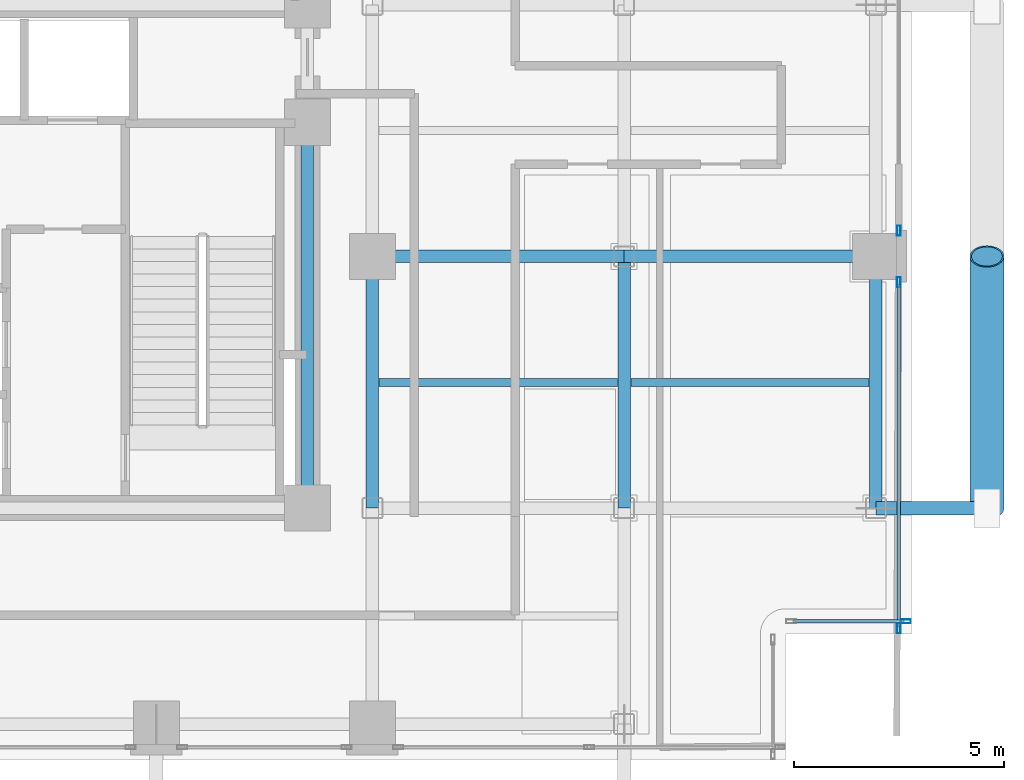
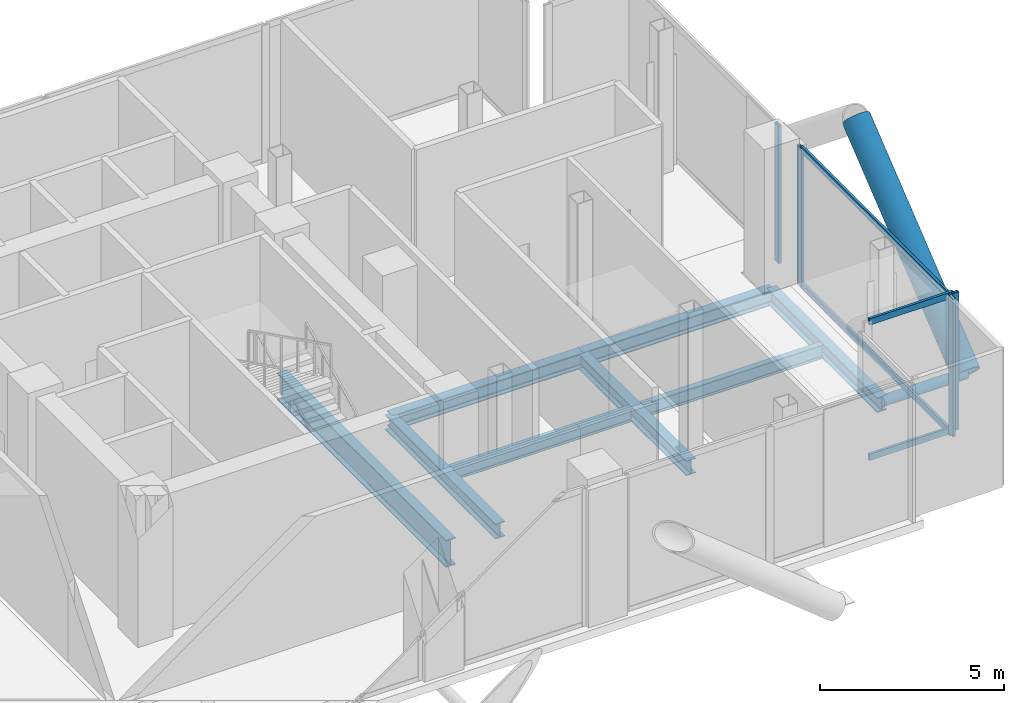
# One storey, part 9 of 25: 10 members, 8 beams, 3 elements without a shape of their own.
"""IFC4 building model written with IfcOpenShell, lengths in metres."""

from ifc_helpers import new_model, si_unit, direction, frame, origin, origin_2d, place, context, subcontext, project, spatial, hollow_rectangle, hollow_circle, i_section, extrude, material, layer, layer_set, material_profile, profile_set, type_object, element, aggregate, save


model = new_model("IFC4")

# Units and contexts
model_context = context("Model", 3, precision=1e-05, world=origin(), true_north=direction((0.0, 1.0)))
body_context = subcontext(model_context, "Body", "Model", "MODEL_VIEW")
ifc_project = project(units=[si_unit("LENGTHUNIT", "METRE"), si_unit("AREAUNIT", "SQUARE_METRE"), si_unit("VOLUMEUNIT", "CUBIC_METRE"), si_unit("PLANEANGLEUNIT", "RADIAN"), si_unit("MASSUNIT", "GRAM", prefix="KILO"), si_unit("THERMODYNAMICTEMPERATUREUNIT", "KELVIN"), si_unit("POWERUNIT", "WATT")], contexts=[model_context])

# Site, building, storey
site_placement = place(None, origin())
site = spatial("IfcSite", under=ifc_project, at=site_placement, CompositionType="ELEMENT")
building_placement = place(site_placement, origin())
building = spatial("IfcBuilding", under=site, at=building_placement, Name="Svarakhadi Broadcast Tower", CompositionType="ELEMENT")
storey_placement = place(building_placement, frame((0.0, 0.0, 110.85009765625)))
storey = spatial("IfcBuildingStorey", under=building, at=storey_placement, Name="L26", CompositionType="ELEMENT", Elevation=110.85009765625)

# Beams
ifc_material_1 = material(Name="Steel S355J2 (IS 2062 E350C)", Category="steel")
ifc_material_profile_1 = material_profile(ifc_material_1, i_section(OverallWidth=0.18994140625, OverallDepth=0.449951171875, WebThickness=0.009521484375, FlangeThickness=0.0146484375, FilletRadius=0.02099609375, at=origin_2d()), Name="NPB 450x190x78")
ifc_profile_set_1 = profile_set([ifc_material_profile_1], Name="Steel S355J2 (IS 2062 E350C)")
beam_type_1 = type_object("IfcBeamType", Name="Beam_NPB450", PredefinedType="BEAM", material=ifc_profile_set_1)
for number, where, z_axis, x_axis, name in (
    (1, (35.31005859375, 9.0, -0.5), (1.0, 0.0, 0.0), (0.0, 1.0, 0.0), "L26 Secondary Composite Beam SB020"),
    (2, (41.31005859375, 9.0, -0.5), (1.0, 0.0, 0.0), (0.0, 1.0, 0.0), "L26 Secondary Composite Beam SB022"),
):
    element("IfcBeam", number, at=place(storey_placement, frame(where, z_axis=z_axis, x_axis=x_axis)), inside=storey, type_object=beam_type_1, Name=name, PredefinedType="BEAM", context=body_context, shape_type="SweptSolid", body=[
        extrude(i_section(OverallWidth=0.18994140625, OverallDepth=0.449951171875, WebThickness=0.009521484375, FlangeThickness=0.0146484375, FilletRadius=0.02099609375, at=origin_2d()), origin(), (0.0, 0.0, 1.0), 5.679931640625),
    ])

# Curtain wall, member
ifc_material_2 = material(Name="Anodised Bronze Aluminium AA 6063-T6", Category="aluminium")
ifc_layer = layer(ifc_material_2, 0.239990234375)
ifc_layer_set = layer_set([ifc_layer], Name="Anodised Bronze Aluminium AA 6063-T6")
curtain_wall_type = type_object("IfcCurtainWallType", Name="CW_Sys_06", PredefinedType="NOTDEFINED", material=ifc_layer_set)
curtain_wall_1_placement = place(storey_placement, origin())
curtain_wall_1 = element("IfcCurtainWall", 3, at=curtain_wall_1_placement, inside=storey, type_object=curtain_wall_type, Name="L26 Unitised Facade Curtain Wall 13 Bay 1", PredefinedType="NOTDEFINED")
ifc_material_profile_2 = material_profile(ifc_material_2, hollow_rectangle(XDim=0.090087890625, YDim=0.239990234375, WallThickness=0.006103515625, at=origin_2d()), Name="ALU MULLION 240x90x6")
ifc_profile_set_2 = profile_set([ifc_material_profile_2], Name="Anodised Bronze Aluminium AA 6063-T6")
member_type_1 = type_object("IfcMemberType", Name="CW_Sys_06_Mul", PredefinedType="MULLION", material=ifc_profile_set_2)
member_1_placement = place(storey_placement, frame((47.699951171875, 12.614990234375, 0.0), z_axis=(0.0, 0.0, 1.0), x_axis=(1.0, 0.0, 0.0)))
member_1 = element("IfcMember", 4, at=member_1_placement, type_object=member_type_1, Name="CW-06 mullion 2", PredefinedType="MULLION", context=body_context, shape_type="SweptSolid", body=[
    extrude(hollow_rectangle(XDim=0.090087890625, YDim=0.239990234375, WallThickness=0.006103515625, at=origin_2d()), origin(), (0.0, 0.0, 1.0), 4.574951171875),
])
aggregate(curtain_wall_1, [member_1])

# Curtain wall, members
curtain_wall_2_placement = place(storey_placement, origin())
curtain_wall_2 = element("IfcCurtainWall", 5, at=curtain_wall_2_placement, inside=storey, type_object=curtain_wall_type, Name="L26 Unitised Facade Curtain Wall 13 Bay 2", PredefinedType="NOTDEFINED")
member_2_placement = place(storey_placement, frame((47.699951171875, 11.385009765625, 0.0), z_axis=(0.0, 0.0, 1.0), x_axis=(1.0, 0.0, 0.0)))
member_2 = element("IfcMember", 6, at=member_2_placement, type_object=member_type_1, Name="CW-06 mullion 1", PredefinedType="MULLION", context=body_context, shape_type="SweptSolid", body=[
    extrude(hollow_rectangle(XDim=0.090087890625, YDim=0.239990234375, WallThickness=0.006103515625, at=origin_2d()), origin(), (0.0, 0.0, 1.0), 4.574951171875),
])
member_3_placement = place(storey_placement, frame((47.699951171875, 3.135009765625, 0.0), z_axis=(0.0, 0.0, 1.0), x_axis=(1.0, 0.0, 0.0)))
member_3 = element("IfcMember", 7, at=member_3_placement, type_object=member_type_1, Name="CW-06 mullion 2", PredefinedType="MULLION", context=body_context, shape_type="SweptSolid", body=[
    extrude(hollow_rectangle(XDim=0.090087890625, YDim=0.239990234375, WallThickness=0.006103515625, at=origin_2d()), origin(), (0.0, 0.0, 1.0), 4.574951171875),
])

# Curtain wall, member
curtain_wall_3_placement = place(storey_placement, origin())
curtain_wall_3 = element("IfcCurtainWall", 8, at=curtain_wall_3_placement, inside=storey, type_object=curtain_wall_type, Name="L26 Unitised Facade Curtain Wall 14", PredefinedType="NOTDEFINED")
member_4_placement = place(storey_placement, frame((47.864990234375, 3.300048828125, 0.0), z_axis=(0.0, 0.0, 1.0), x_axis=(0.0, -1.0, 0.0)))
member_4 = element("IfcMember", 9, at=member_4_placement, type_object=member_type_1, Name="CW-06 mullion 1", PredefinedType="MULLION", context=body_context, shape_type="SweptSolid", body=[
    extrude(hollow_rectangle(XDim=0.090087890625, YDim=0.239990234375, WallThickness=0.006103515625, at=origin_2d()), origin(), (0.0, 0.0, 1.0), 4.574951171875),
])

# Member
ifc_material_profile_3 = material_profile(ifc_material_2, hollow_rectangle(XDim=0.080078125, YDim=0.2099609375, WallThickness=0.0048828125, at=origin_2d()), Name="ALU TRANSOM 210x80x5")
ifc_profile_set_3 = profile_set([ifc_material_profile_3], Name="Anodised Bronze Aluminium AA 6063-T6")
member_type_2 = type_object("IfcMemberType", Name="CW_Sys_06_Trn", PredefinedType="USERDEFINED", material=ifc_profile_set_3)
member_5_placement = place(storey_placement, frame((47.699951171875, 11.340087890625, 0.039794921875), z_axis=(0.0, -1.0, 0.0), x_axis=(1.0, 0.0, 0.0)))
member_5 = element("IfcMember", 10, at=member_5_placement, type_object=member_type_2, Name="CW-06 transom 1.1", ObjectType="TRANSOM", PredefinedType="USERDEFINED", context=body_context, shape_type="SweptSolid", body=[
    extrude(hollow_rectangle(XDim=0.080078125, YDim=0.2099609375, WallThickness=0.0048828125, at=origin_2d()), origin(), (0.0, 0.0, 1.0), 8.16015625),
])

member_6_placement = place(storey_placement, frame((47.699951171875, 11.340087890625, 4.534912109375), z_axis=(0.0, -1.0, 0.0), x_axis=(1.0, 0.0, 0.0)))
member_6 = element("IfcMember", 11, at=member_6_placement, type_object=member_type_2, Name="CW-06 transom 1.2", ObjectType="TRANSOM", PredefinedType="USERDEFINED", context=body_context, shape_type="SweptSolid", body=[
    extrude(hollow_rectangle(XDim=0.080078125, YDim=0.2099609375, WallThickness=0.0048828125, at=origin_2d()), origin(), (0.0, 0.0, 1.0), 8.16015625),
])

aggregate(curtain_wall_2, [member_2, member_3, member_5, member_6])

member_7_placement = place(storey_placement, frame((47.820068359375, 3.300048828125, 0.039794921875), z_axis=(-1.0, 0.0, 0.0), x_axis=(0.0, -1.0, 0.0)))
member_7 = element("IfcMember", 12, at=member_7_placement, type_object=member_type_2, Name="CW-06 transom 1.1", ObjectType="TRANSOM", PredefinedType="USERDEFINED", context=body_context, shape_type="SweptSolid", body=[
    extrude(hollow_rectangle(XDim=0.080078125, YDim=0.2099609375, WallThickness=0.0048828125, at=origin_2d()), origin(), (0.0, 0.0, 1.0), 2.64013671875),
])

member_8_placement = place(storey_placement, frame((47.820068359375, 3.300048828125, 4.534912109375), z_axis=(-1.0, 0.0, 0.0), x_axis=(0.0, -1.0, 0.0)))
member_8 = element("IfcMember", 13, at=member_8_placement, type_object=member_type_2, Name="CW-06 transom 1.2", ObjectType="TRANSOM", PredefinedType="USERDEFINED", context=body_context, shape_type="SweptSolid", body=[
    extrude(hollow_rectangle(XDim=0.080078125, YDim=0.2099609375, WallThickness=0.0048828125, at=origin_2d()), origin(), (0.0, 0.0, 1.0), 2.64013671875),
])

aggregate(curtain_wall_3, [member_4, member_7, member_8])

# Members
ifc_material_3 = material(Name="Steel S460ML (IS 2062 E450BR)", Category="steel")
ifc_material_profile_4 = material_profile(ifc_material_3, hollow_circle(Radius=0.406494140625, WallThickness=0.0400390625, at=origin_2d()), Name="CHS 813x40")
ifc_profile_set_4 = profile_set([ifc_material_profile_4], Name="Steel S460ML (IS 2062 E450BR)")
member_type_3 = type_object("IfcMemberType", Name="Exo_Brace_CHS813", PredefinedType="BRACE", material=ifc_profile_set_4)
member_9_placement = place(storey_placement, frame((49.800048828125, 6.0, -0.43701171875), z_axis=(0.0, 0.777706721002, 0.628627279163), x_axis=(-1.0, 0.0, 0.0)))
element("IfcMember", 14, at=member_9_placement, inside=storey, type_object=member_type_3, Name="L26 Exposed Bronze Exoskeleton Diagonal E06", PredefinedType="BRACE", context=body_context, shape_type="SweptSolid", body=[
    extrude(hollow_circle(Radius=0.406494140625, WallThickness=0.0400390625, at=origin_2d()), origin(), (0.0, 0.0, 1.0), 7.715087890625),
])
ifc_material_profile_5 = material_profile(ifc_material_3, hollow_circle(Radius=0.161865234375, WallThickness=0.01611328125, at=origin_2d()), Name="CHS 323.9x16")
ifc_profile_set_5 = profile_set([ifc_material_profile_5], Name="Steel S460ML (IS 2062 E450BR)")
member_type_4 = type_object("IfcMemberType", Name="Exo_Radial_Strut_Z2", PredefinedType="STRUT", material=ifc_profile_set_5)
member_10_placement = place(storey_placement, frame((49.800048828125, 6.0, -0.43701171875), z_axis=(-1.0, 0.0, 0.0), x_axis=(0.0, -1.0, 0.0)))
element("IfcMember", 15, at=member_10_placement, inside=storey, type_object=member_type_4, Name="L26 Exoskeleton Radial Tie Strut E08", PredefinedType="STRUT", context=body_context, shape_type="SweptSolid", body=[
    extrude(hollow_circle(Radius=0.161865234375, WallThickness=0.01611328125, at=origin_2d()), origin(), (0.0, 0.0, 1.0), 2.650146484375),
])

# Beams
ifc_material_profile_6 = material_profile(ifc_material_1, i_section(OverallWidth=0.300048828125, OverallDepth=0.5, WebThickness=0.014404296875, FlangeThickness=0.028076171875, FilletRadius=0.027099609375, at=origin_2d()), Name="WPB 500x300x187")
ifc_profile_set_6 = profile_set([ifc_material_profile_6], Name="Steel S355J2 (IS 2062 E350C)")
beam_type_2 = type_object("IfcBeamType", Name="Girder_WPB500", PredefinedType="USERDEFINED", material=ifc_profile_set_6)
for number, where, z_axis, x_axis, name in (
    (16, (35.14990234375, 12.0, -0.525146484375), (1.0, 0.0, 0.0), (0.0, 1.0, 0.0), "L26 Primary E-W Girder G021"),
    (17, (41.14990234375, 12.0, -0.525146484375), (1.0, 0.0, 0.0), (0.0, 1.0, 0.0), "L26 Primary E-W Girder G022"),
    (18, (35.14990234375, 6.0, -0.525146484375), (0.0, 1.0, 0.0), (-1.0, 0.0, 0.0), "L26 Primary N-S Girder G068"),
    (19, (41.14990234375, 6.0, -0.525146484375), (0.0, 1.0, 0.0), (-1.0, 0.0, 0.0), "L26 Primary N-S Girder G071"),
    (20, (47.14990234375, 6.0, -0.525146484375), (0.0, 1.0, 0.0), (-1.0, 0.0, 0.0), "L26 Primary N-S Girder G073"),
):
    element("IfcBeam", number, at=place(storey_placement, frame(where, z_axis=z_axis, x_axis=x_axis)), inside=storey, type_object=beam_type_2, Name=name, ObjectType="GIRDER", PredefinedType="USERDEFINED", context=body_context, shape_type="SweptSolid", body=[
        extrude(i_section(OverallWidth=0.300048828125, OverallDepth=0.5, WebThickness=0.014404296875, FlangeThickness=0.028076171875, FilletRadius=0.027099609375, at=origin_2d()), origin(), (0.0, 0.0, 1.0), 6.0),
    ])
ifc_material_profile_7 = material_profile(ifc_material_3, i_section(OverallWidth=0.300048828125, OverallDepth=0.89990234375, WebThickness=0.0185546875, FlangeThickness=0.034912109375, FilletRadius=0.030029296875, at=origin_2d()), Name="WPB 900x300x291")
ifc_profile_set_7 = profile_set([ifc_material_profile_7], Name="Steel S460ML (IS 2062 E450BR)")
beam_type_3 = type_object("IfcBeamType", Name="Girder_WPB900", PredefinedType="USERDEFINED", material=ifc_profile_set_7)
beam_placement = place(storey_placement, frame((33.60009765625, 6.0, -0.72509765625), z_axis=(0.0, 1.0, 0.0), x_axis=(-1.0, 0.0, 0.0)))
element("IfcBeam", 21, at=beam_placement, inside=storey, type_object=beam_type_3, Name="L26 Primary N-S Girder G065", ObjectType="GIRDER", PredefinedType="USERDEFINED", context=body_context, shape_type="SweptSolid", body=[
    extrude(i_section(OverallWidth=0.300048828125, OverallDepth=0.89990234375, WebThickness=0.0185546875, FlangeThickness=0.034912109375, FilletRadius=0.030029296875, at=origin_2d()), origin(), (0.0, 0.0, 1.0), 9.199951171875),
])

save(model, "model.ifc")
